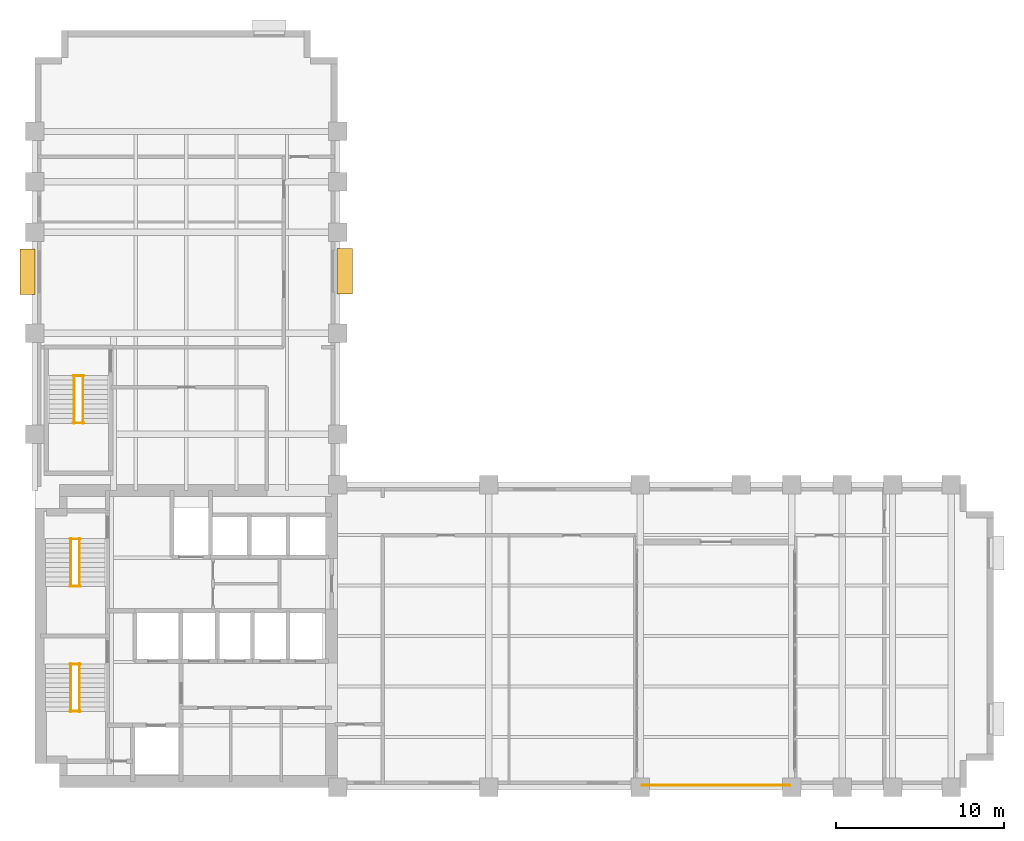
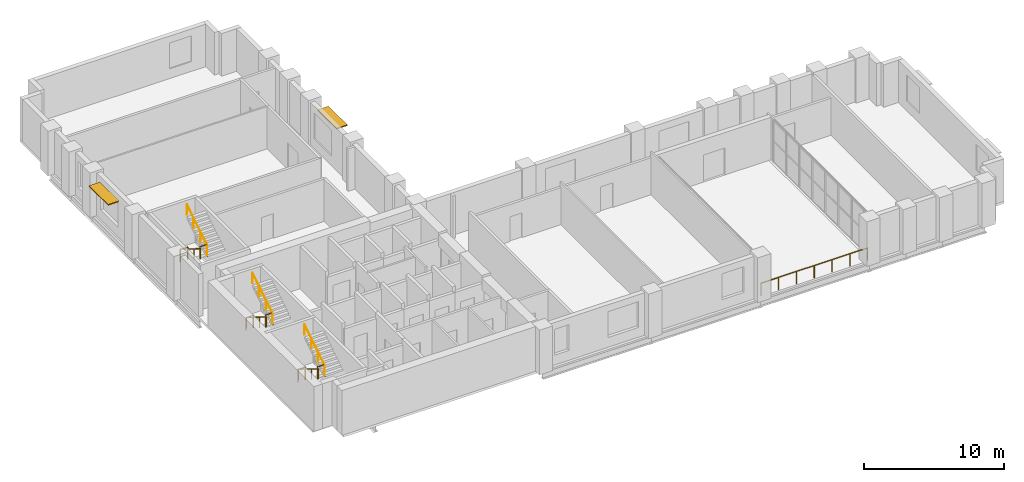
# One storey, part 11 of 12: 13 railings, 2 shading devices.
"""IFC4 building model written with IfcOpenShell, lengths in metres."""

from ifc_helpers import new_model, si_unit, direction, frame, origin, origin_2d, place, context, subcontext, project, spatial, rectangle, circle, extrude, material, layer, layer_set, type_object, element, save


model = new_model("IFC4")

# Units and contexts
model_context = context("Model", 3, precision=1e-05, world=origin(), true_north=direction((0.0, 1.0)))
body_context = subcontext(model_context, "Body", "Model", "MODEL_VIEW")
ifc_project = project(units=[si_unit("LENGTHUNIT", "METRE"), si_unit("AREAUNIT", "SQUARE_METRE"), si_unit("VOLUMEUNIT", "CUBIC_METRE"), si_unit("PLANEANGLEUNIT", "RADIAN"), si_unit("MASSUNIT", "GRAM", prefix="KILO")], contexts=[model_context])

# Site, building, storey
site_placement = place(None, origin())
site = spatial("IfcSite", under=ifc_project, at=site_placement, CompositionType="ELEMENT")
building_placement = place(site_placement, origin())
building = spatial("IfcBuilding", under=site, at=building_placement, Name="Mawjdan Bourse Tower", CompositionType="ELEMENT")
storey_placement = place(building_placement, frame((0.0, 0.0, 120.60009765625)))
storey = spatial("IfcBuildingStorey", under=building, at=storey_placement, Name="L28", CompositionType="ELEMENT", Elevation=120.60009765625)

# Railings
ifc_material_1 = material(Name="Structural Steel S355", Category="steel")
railing_type_1 = type_object("IfcRailingType", Name="RLG-GRD-1100", PredefinedType="GUARDRAIL", material=ifc_material_1)
railing_1_placement = place(storey_placement, frame((42.10009765625, 3.1201171875, 0.0)))
element("IfcRailing", 1, at=railing_1_placement, inside=storey, type_object=railing_type_1, Name="L28 Sky Terrace Perimeter Guardrail", PredefinedType="GUARDRAIL", context=body_context, shape_type="SweptSolid", body=[
    extrude(circle(Radius=0.02490234375, at=origin_2d()), frame((0.0, 0.0, 1.0751953125), z_axis=(1.0, 0.0, 0.0), x_axis=(0.0, 1.0, 0.0)), (0.0, 0.0, 1.0), 8.7998046875),
    extrude(circle(Radius=0.02197265625, at=origin_2d()), origin(), (0.0, 0.0, 1.0), 1.050048828125),
    extrude(circle(Radius=0.02197265625, at=origin_2d()), frame((1.466552734375, 0.0, 0.0)), (0.0, 0.0, 1.0), 1.050048828125),
    extrude(circle(Radius=0.02197265625, at=origin_2d()), frame((2.933349609375, 0.0, 0.0)), (0.0, 0.0, 1.0), 1.050048828125),
    extrude(circle(Radius=0.02197265625, at=origin_2d()), frame((4.39990234375, 0.0, 0.0)), (0.0, 0.0, 1.0), 1.050048828125),
    extrude(circle(Radius=0.02197265625, at=origin_2d()), frame((5.866455078125, 0.0, 0.0)), (0.0, 0.0, 1.0), 1.050048828125),
    extrude(circle(Radius=0.02197265625, at=origin_2d()), frame((7.333251953125, 0.0, 0.0)), (0.0, 0.0, 1.0), 1.050048828125),
    extrude(circle(Radius=0.02197265625, at=origin_2d()), frame((8.7998046875, 0.0, 0.0)), (0.0, 0.0, 1.0), 1.050048828125),
])
for number, where, name in (
    (2, (8.090087890625, 7.52001953125, 1.949951171875), "L28 ST1 Landing Guardrail GL-MID"),
    (3, (8.090087890625, 10.330078125, 0.0), "L28 ST1 Landing Guardrail GL-BOT"),
    (4, (8.090087890625, 14.9599609375, 1.949951171875), "L28 ST2 Landing Guardrail GL-MID"),
    (5, (8.090087890625, 17.77001953125, 0.0), "L28 ST2 Landing Guardrail GL-BOT"),
    (6, (8.2900390625, 24.669921875, 1.949951171875), "L28 ST3 Landing Guardrail GL-MID"),
    (7, (8.2900390625, 27.47998046875, 0.0), "L28 ST3 Landing Guardrail GL-BOT"),
):
    element("IfcRailing", number, at=place(storey_placement, frame(where)), inside=storey, type_object=railing_type_1, Name=name, PredefinedType="GUARDRAIL", context=body_context, shape_type="SweptSolid", body=[
        extrude(circle(Radius=0.02490234375, at=origin_2d()), frame((0.0, 0.0, 1.0751953125), z_axis=(1.0, 0.0, 0.0), x_axis=(0.0, 1.0, 0.0)), (0.0, 0.0, 1.0), 0.619873046875),
        extrude(circle(Radius=0.02099609375, at=origin_2d()), origin(), (0.0, 0.0, 1.0), 1.050048828125),
        extrude(circle(Radius=0.02099609375, at=origin_2d()), frame((0.619873046875, 0.0, 0.0)), (0.0, 0.0, 1.0), 1.050048828125),
    ])
ifc_material_2 = material(Name="Brushed Stainless Steel", Category="steel")
railing_type_2 = type_object("IfcRailingType", Name="RLG-HND-920", PredefinedType="HANDRAIL", material=ifc_material_2)
railing_2_placement = place(storey_placement, frame((8.139892578125, 10.35009765625, 0.17724609375)))
element("IfcRailing", 8, at=railing_2_placement, inside=storey, type_object=railing_type_2, Name="L28 ST1 Flight Handrail HR1", PredefinedType="HANDRAIL", context=body_context, shape_type="SweptSolid", body=[
    extrude(circle(Radius=0.0224609375, at=origin_2d()), frame((0.0, 0.0, 0.8974609375), z_axis=(0.0, -0.849148672731, 0.528153890072), x_axis=(1.0, 0.0, 0.0)), (0.0, 0.0, 1.0), 3.3564453125),
    extrude(circle(Radius=0.01904296875, at=origin_2d()), origin(), (0.0, 0.0, 1.0), 0.875),
    extrude(circle(Radius=0.01904296875, at=origin_2d()), frame((0.0, -0.949951171875, 0.5908203125)), (0.0, 0.0, 1.0), 0.875),
    extrude(circle(Radius=0.01904296875, at=origin_2d()), frame((0.0, -1.900146484375, 1.181884765625)), (0.0, 0.0, 1.0), 0.875),
    extrude(circle(Radius=0.01904296875, at=origin_2d()), frame((0.0, -2.85009765625, 1.772705078125)), (0.0, 0.0, 1.0), 0.875),
])
railing_3_placement = place(storey_placement, frame((8.659912109375, 7.5, 2.127197265625)))
element("IfcRailing", 9, at=railing_3_placement, inside=storey, type_object=railing_type_2, Name="L28 ST1 Flight Handrail HR2", PredefinedType="HANDRAIL", context=body_context, shape_type="SweptSolid", body=[
    extrude(circle(Radius=0.0224609375, at=origin_2d()), frame((0.0, 0.0, 0.8974609375), z_axis=(0.0, 0.849148672731, 0.528153890072), x_axis=(-1.0, 0.0, 0.0)), (0.0, 0.0, 1.0), 3.3564453125),
    extrude(circle(Radius=0.01904296875, at=origin_2d()), origin(), (0.0, 0.0, 1.0), 0.875),
    extrude(circle(Radius=0.01904296875, at=origin_2d()), frame((0.0, 0.949951171875, 0.5908203125)), (0.0, 0.0, 1.0), 0.875),
    extrude(circle(Radius=0.01904296875, at=origin_2d()), frame((0.0, 1.900146484375, 1.181884765625)), (0.0, 0.0, 1.0), 0.875),
    extrude(circle(Radius=0.01904296875, at=origin_2d()), frame((0.0, 2.85009765625, 1.772705078125)), (0.0, 0.0, 1.0), 0.875),
])
railing_4_placement = place(storey_placement, frame((8.139892578125, 17.7900390625, 0.17724609375)))
element("IfcRailing", 10, at=railing_4_placement, inside=storey, type_object=railing_type_2, Name="L28 ST2 Flight Handrail HR1", PredefinedType="HANDRAIL", context=body_context, shape_type="SweptSolid", body=[
    extrude(circle(Radius=0.0224609375, at=origin_2d()), frame((0.0, 0.0, 0.8974609375), z_axis=(0.0, -0.849148672731, 0.528153890072), x_axis=(1.0, 0.0, 0.0)), (0.0, 0.0, 1.0), 3.3564453125),
    extrude(circle(Radius=0.01904296875, at=origin_2d()), origin(), (0.0, 0.0, 1.0), 0.875),
    extrude(circle(Radius=0.01904296875, at=origin_2d()), frame((0.0, -0.949951171875, 0.5908203125)), (0.0, 0.0, 1.0), 0.875),
    extrude(circle(Radius=0.01904296875, at=origin_2d()), frame((0.0, -1.900146484375, 1.181884765625)), (0.0, 0.0, 1.0), 0.875),
    extrude(circle(Radius=0.01904296875, at=origin_2d()), frame((0.0, -2.85009765625, 1.772705078125)), (0.0, 0.0, 1.0), 0.875),
])
railing_5_placement = place(storey_placement, frame((8.659912109375, 14.93994140625, 2.127197265625)))
element("IfcRailing", 11, at=railing_5_placement, inside=storey, type_object=railing_type_2, Name="L28 ST2 Flight Handrail HR2", PredefinedType="HANDRAIL", context=body_context, shape_type="SweptSolid", body=[
    extrude(circle(Radius=0.0224609375, at=origin_2d()), frame((0.0, 0.0, 0.8974609375), z_axis=(0.0, 0.849148672731, 0.528153890072), x_axis=(-1.0, 0.0, 0.0)), (0.0, 0.0, 1.0), 3.3564453125),
    extrude(circle(Radius=0.01904296875, at=origin_2d()), origin(), (0.0, 0.0, 1.0), 0.875),
    extrude(circle(Radius=0.01904296875, at=origin_2d()), frame((0.0, 0.949951171875, 0.5908203125)), (0.0, 0.0, 1.0), 0.875),
    extrude(circle(Radius=0.01904296875, at=origin_2d()), frame((0.0, 1.900146484375, 1.181884765625)), (0.0, 0.0, 1.0), 0.875),
    extrude(circle(Radius=0.01904296875, at=origin_2d()), frame((0.0, 2.85009765625, 1.772705078125)), (0.0, 0.0, 1.0), 0.875),
])
railing_6_placement = place(storey_placement, frame((8.340087890625, 27.5, 0.17724609375)))
element("IfcRailing", 12, at=railing_6_placement, inside=storey, type_object=railing_type_2, Name="L28 ST3 Flight Handrail HR1", PredefinedType="HANDRAIL", context=body_context, shape_type="SweptSolid", body=[
    extrude(circle(Radius=0.0224609375, at=origin_2d()), frame((0.0, 0.0, 0.8974609375), z_axis=(0.0, -0.849148672731, 0.528153890072), x_axis=(1.0, 0.0, 0.0)), (0.0, 0.0, 1.0), 3.3564453125),
    extrude(circle(Radius=0.01904296875, at=origin_2d()), origin(), (0.0, 0.0, 1.0), 0.875),
    extrude(circle(Radius=0.01904296875, at=origin_2d()), frame((0.0, -0.949951171875, 0.5908203125)), (0.0, 0.0, 1.0), 0.875),
    extrude(circle(Radius=0.01904296875, at=origin_2d()), frame((0.0, -1.900146484375, 1.181884765625)), (0.0, 0.0, 1.0), 0.875),
    extrude(circle(Radius=0.01904296875, at=origin_2d()), frame((0.0, -2.85009765625, 1.772705078125)), (0.0, 0.0, 1.0), 0.875),
])
railing_7_placement = place(storey_placement, frame((8.860107421875, 24.64990234375, 2.127197265625)))
element("IfcRailing", 13, at=railing_7_placement, inside=storey, type_object=railing_type_2, Name="L28 ST3 Flight Handrail HR2", PredefinedType="HANDRAIL", context=body_context, shape_type="SweptSolid", body=[
    extrude(circle(Radius=0.0224609375, at=origin_2d()), frame((0.0, 0.0, 0.8974609375), z_axis=(0.0, 0.849148672731, 0.528153890072), x_axis=(-1.0, 0.0, 0.0)), (0.0, 0.0, 1.0), 3.3564453125),
    extrude(circle(Radius=0.01904296875, at=origin_2d()), origin(), (0.0, 0.0, 1.0), 0.875),
    extrude(circle(Radius=0.01904296875, at=origin_2d()), frame((0.0, 0.949951171875, 0.5908203125)), (0.0, 0.0, 1.0), 0.875),
    extrude(circle(Radius=0.01904296875, at=origin_2d()), frame((0.0, 1.900146484375, 1.181884765625)), (0.0, 0.0, 1.0), 0.875),
    extrude(circle(Radius=0.01904296875, at=origin_2d()), frame((0.0, 2.85009765625, 1.772705078125)), (0.0, 0.0, 1.0), 0.875),
])

# Shading devices
ifc_material_3 = material(Name="Bronze Anodised Aluminium", Category="aluminium")
ifc_layer = layer(ifc_material_3, 0.0849609375)
ifc_layer_set = layer_set([ifc_layer], Name="Bronze Anodised Aluminium")
shading_device_type = type_object("IfcShadingDeviceType", Name="SHD-SUN-900", PredefinedType="USERDEFINED", material=ifc_layer_set)
for number, where, z_axis, x_axis, name in (
    (14, (24.429931640625, 33.699951171875, 3.099853515625), (0.0, 0.0, 1.0), (0.0, 1.0, 0.0), "L28 Solar Window Hood 07"),
    (15, (5.570068359375, 33.64990234375, 3.099853515625), (0.0, 0.0, 1.0), (0.0, -1.0, 0.0), "L28 Solar Window Hood 09"),
):
    element("IfcShadingDevice", number, at=place(storey_placement, frame(where, z_axis=z_axis, x_axis=x_axis)), inside=storey, type_object=shading_device_type, Name=name, ObjectType="SUNSHADE", PredefinedType="USERDEFINED", context=body_context, shape_type="SweptSolid", body=[
        extrude(rectangle(XDim=2.699951171875, YDim=0.89990234375, at=origin_2d()), origin(), (0.0, 0.0, 1.0), 0.0849609375),
    ])

save(model, "model.ifc")
